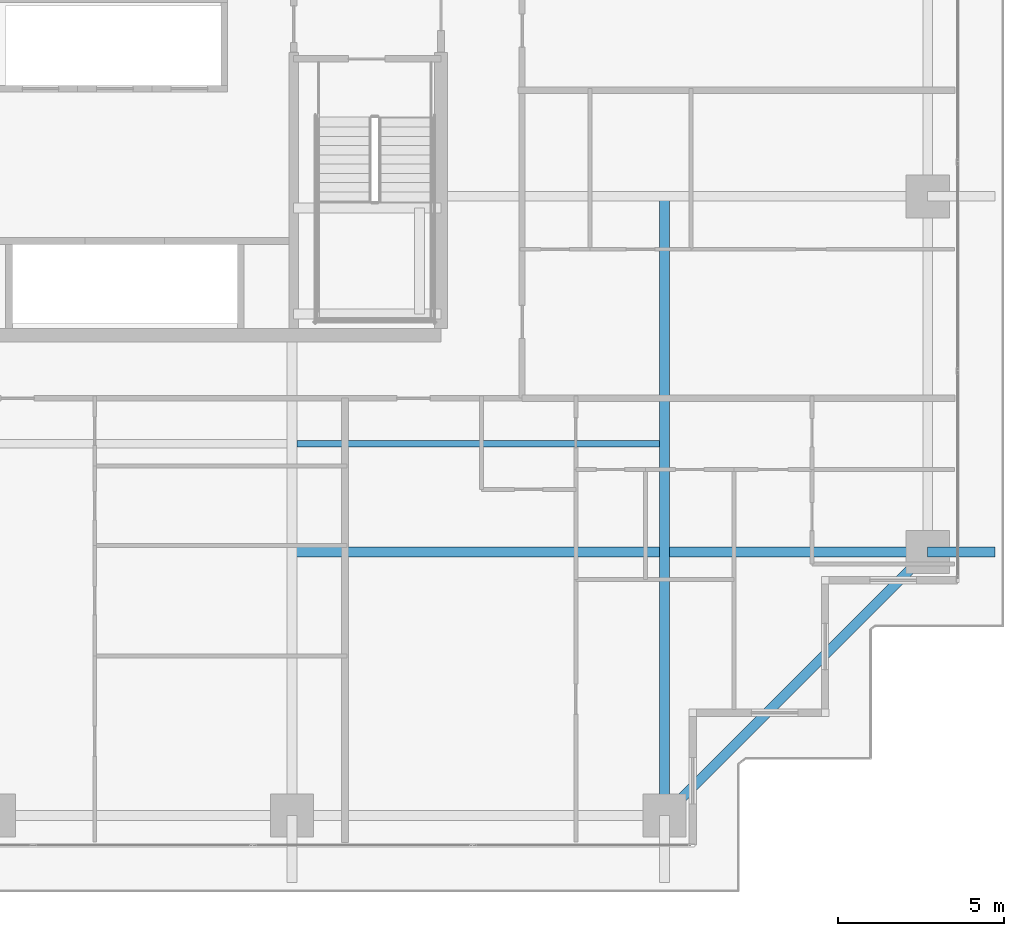
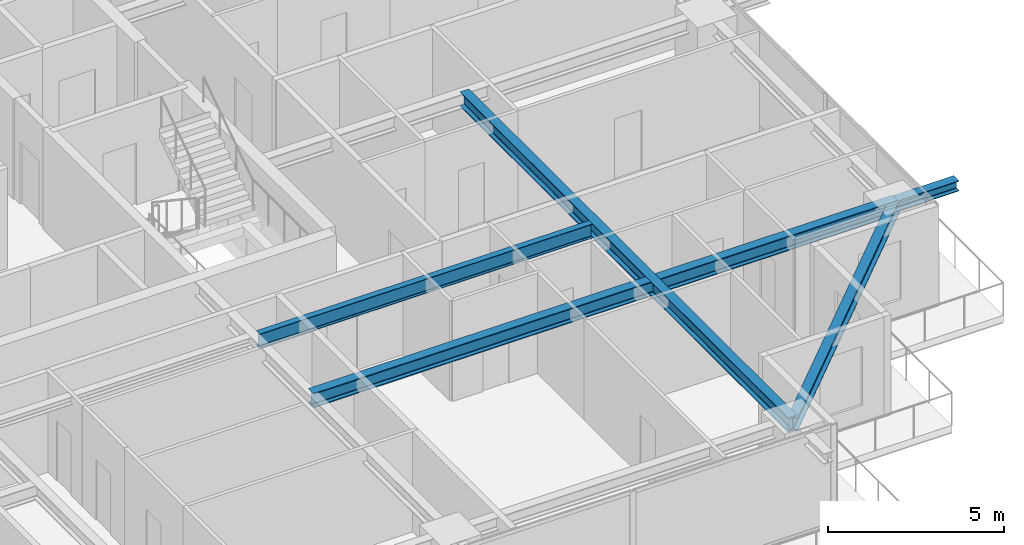
# One storey, part 13 of 38: 5 beams.
"""IFC4 building model written with IfcOpenShell, lengths in metres."""

from ifc_helpers import new_model, si_unit, direction, frame, origin, origin_2d, place, context, subcontext, project, spatial, i_section, extrude, source, transform, mapped, material, material_profile, profile_set, type_object, element, save


model = new_model("IFC4")

# Units and contexts
model_context = context("Model", 3, precision=1e-05, world=origin(), true_north=direction((0.0, 1.0)))
body_context = subcontext(model_context, "Body", "Model", "MODEL_VIEW")
ifc_project = project(units=[si_unit("LENGTHUNIT", "METRE"), si_unit("AREAUNIT", "SQUARE_METRE"), si_unit("VOLUMEUNIT", "CUBIC_METRE"), si_unit("PLANEANGLEUNIT", "RADIAN"), si_unit("MASSUNIT", "GRAM", prefix="KILO")], contexts=[model_context])

# Site, building, storey
site_placement = place(None, origin())
site = spatial("IfcSite", under=ifc_project, at=site_placement, CompositionType="ELEMENT")
building_placement = place(site_placement, origin())
building = spatial("IfcBuilding", under=site, at=building_placement, Name="Serunith Strait Residences", CompositionType="ELEMENT")
storey_placement = place(building_placement, frame((0.0, 0.0, 120.14990234375)))
storey = spatial("IfcBuildingStorey", under=building, at=storey_placement, Name="L29", CompositionType="ELEMENT", Elevation=120.14990234375)

# Beams
ifc_material = material(Name="Steel S355J2", Category="steel")
ifc_material_profile_1 = material_profile(ifc_material, i_section(OverallWidth=0.300048828125, OverallDepth=0.5, WebThickness=0.014404296875, FlangeThickness=0.028076171875, FilletRadius=0.027099609375, at=origin_2d()), Name="HEB 500")
ifc_profile_set_1 = profile_set([ifc_material_profile_1], Name="Steel S355J2")
beam_type_1 = type_object("IfcBeamType", Name="BM-HEB500", PredefinedType="BEAM", material=ifc_profile_set_1)
shared_shape_1 = source(origin(), body_context, "Body", "SweptSolid", [
    extrude(i_section(OverallWidth=0.300048828125, OverallDepth=0.5, WebThickness=0.014404296875, FlangeThickness=0.028076171875, FilletRadius=0.027099609375, at=origin_2d()), origin(), (0.0, 0.0, 1.0), 18.699951171875),
])
beam_1_placement = place(storey_placement, frame((48.14990234375, 21.0, 3.237060546875), z_axis=(0.0, -1.0, 0.0), x_axis=(1.0, 0.0, 0.0)))
element("IfcBeam", 1, at=beam_1_placement, inside=storey, type_object=beam_type_1, Name="L29 Orthogonal Corner Girder TC-S4", PredefinedType="BEAM", context=body_context, shape_type="MappedRepresentation", body=[
    mapped(shared_shape_1, transform((0.0, 0.0, 0.0), scale=1.0)),
])
shared_shape_2 = source(origin(), body_context, "Body", "SweptSolid", [
    extrude(i_section(OverallWidth=0.300048828125, OverallDepth=0.5, WebThickness=0.014404296875, FlangeThickness=0.028076171875, FilletRadius=0.027099609375, at=origin_2d()), origin(), (0.0, 0.0, 1.0), 19.2001953125),
])
beam_2_placement = place(storey_placement, frame((36.89990234375, 10.25, 3.237060546875), z_axis=(1.0, 0.0, 0.0), x_axis=(0.0, 1.0, 0.0)))
element("IfcBeam", 2, at=beam_2_placement, inside=storey, type_object=beam_type_1, Name="L29 Orthogonal Corner Girder TC-E1", PredefinedType="BEAM", context=body_context, shape_type="MappedRepresentation", body=[
    mapped(shared_shape_2, transform((0.0, 0.0, 0.0), scale=1.0)),
])
ifc_material_profile_2 = material_profile(ifc_material, i_section(OverallWidth=0.300048828125, OverallDepth=0.449951171875, WebThickness=0.013916015625, FlangeThickness=0.02587890625, FilletRadius=0.027099609375, at=origin_2d()), Name="HEB 450")
ifc_profile_set_2 = profile_set([ifc_material_profile_2], Name="Steel S355J2")
beam_type_2 = type_object("IfcBeamType", Name="BM-HEB450", PredefinedType="BEAM", material=ifc_profile_set_2)
shared_shape_3 = source(origin(), body_context, "Body", "SweptSolid", [
    extrude(i_section(OverallWidth=0.300048828125, OverallDepth=0.449951171875, WebThickness=0.013916015625, FlangeThickness=0.02587890625, FilletRadius=0.027099609375, at=origin_2d()), origin(), (0.0, 0.0, 1.0), 11.2431640625),
])
beam_3_placement = place(storey_placement, frame((48.14990234375, 2.300048828125, 3.232177734375), z_axis=(0.707117638455, 0.707095923751, 0.0), x_axis=(-0.707095923751, 0.707117638455, 0.0)))
element("IfcBeam", 3, at=beam_3_placement, inside=storey, type_object=beam_type_2, Name="L29 Perimeter Ring Beam 04", PredefinedType="BEAM", context=body_context, shape_type="MappedRepresentation", body=[
    mapped(shared_shape_3, transform((0.0, 0.0, 0.0), scale=1.0)),
])
ifc_material_profile_3 = material_profile(ifc_material, i_section(OverallWidth=0.199951171875, OverallDepth=0.5, WebThickness=0.01025390625, FlangeThickness=0.01611328125, FilletRadius=0.02099609375, at=origin_2d()), Name="IPE 500")
ifc_profile_set_3 = profile_set([ifc_material_profile_3], Name="Steel S355J2")
beam_type_3 = type_object("IfcBeamType", Name="BM-IPE500", PredefinedType="JOIST", material=ifc_profile_set_3)
shared_shape_4 = source(origin(), body_context, "Body", "SweptSolid", [
    extrude(i_section(OverallWidth=0.199951171875, OverallDepth=0.5, WebThickness=0.01025390625, FlangeThickness=0.01611328125, FilletRadius=0.02099609375, at=origin_2d()), origin(), (0.0, 0.0, 1.0), 10.949951171875),
])
beam_4_placement = place(storey_placement, frame((37.050048828125, 13.52490234375, 3.237060546875), z_axis=(1.0, 0.0, 0.0), x_axis=(0.0, 1.0, 0.0)))
element("IfcBeam", 4, at=beam_4_placement, inside=storey, type_object=beam_type_3, Name="L29 Composite Floor Joist 03", PredefinedType="JOIST", context=body_context, shape_type="MappedRepresentation", body=[
    mapped(shared_shape_4, transform((0.0, 0.0, 0.0), scale=1.0)),
])
ifc_material_profile_4 = material_profile(ifc_material, i_section(OverallWidth=0.300048828125, OverallDepth=0.360107421875, WebThickness=0.012451171875, FlangeThickness=0.0224609375, FilletRadius=0.027099609375, at=origin_2d()), Name="HEB 360")
ifc_profile_set_4 = profile_set([ifc_material_profile_4], Name="Steel S355J2")
beam_type_4 = type_object("IfcBeamType", Name="BM-HEB360", PredefinedType="BEAM", material=ifc_profile_set_4)
shared_shape_5 = source(origin(), body_context, "Body", "SweptSolid", [
    extrude(i_section(OverallWidth=0.300048828125, OverallDepth=0.360107421875, WebThickness=0.012451171875, FlangeThickness=0.0224609375, FilletRadius=0.027099609375, at=origin_2d()), origin(), (0.0, 0.0, 1.0), 2.02978515625),
])
beam_5_placement = place(storey_placement, frame((56.10009765625, 10.25, 3.277099609375), z_axis=(1.0, 0.0, 0.0), x_axis=(0.0, 1.0, 0.0)))
element("IfcBeam", 5, at=beam_5_placement, inside=storey, type_object=beam_type_4, Name="L30 Cantilevered Balcony Rib TC-E1", PredefinedType="BEAM", context=body_context, shape_type="MappedRepresentation", body=[
    mapped(shared_shape_5, transform((0.0, 0.0, 0.0), scale=1.0)),
])

save(model, "model.ifc")
